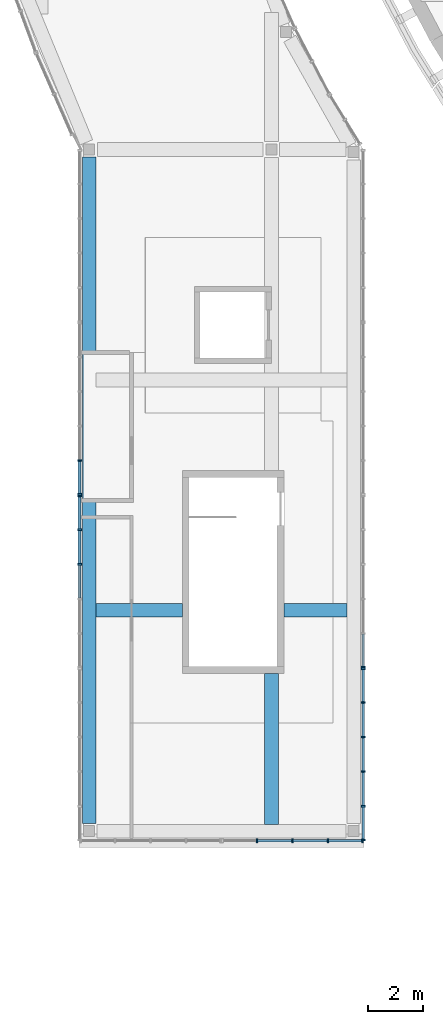
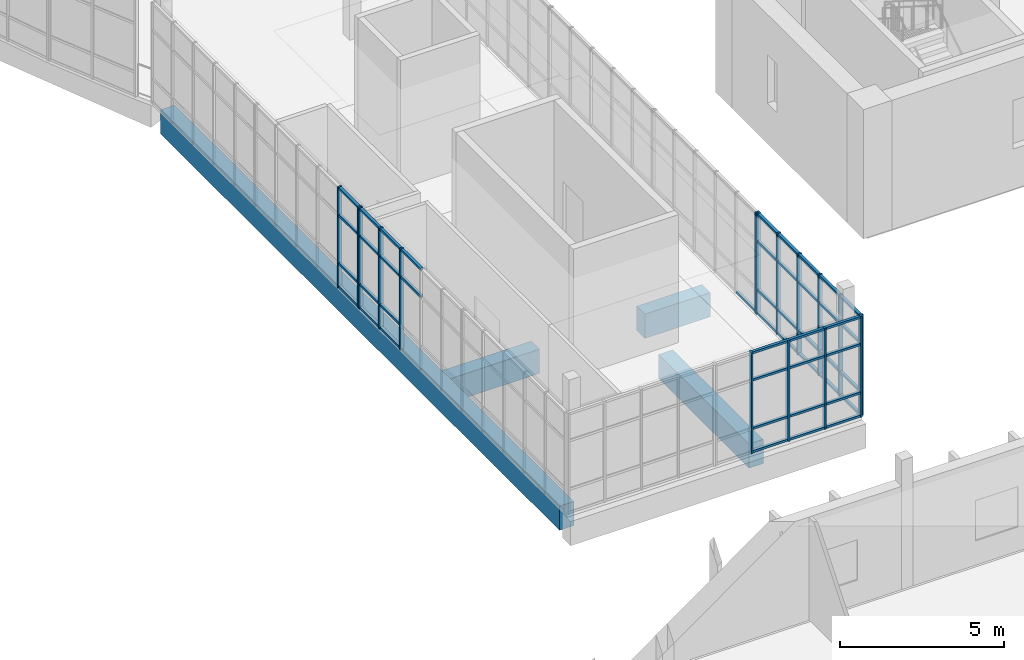
# One storey, part 5 of 103: 63 members, 4 beams, 5 elements without a shape of their own.
"""IFC4 building model written with IfcOpenShell, lengths in metres."""

from ifc_helpers import new_model, si_unit, direction, frame, origin, origin_2d, place, context, subcontext, project, spatial, rectangle, extrude, material, layer, layer_set, material_profile, profile_set, type_object, element, aggregate, save


model = new_model("IFC4")

# Units and contexts
model_context = context("Model", 3, precision=1e-05, world=origin(), true_north=direction((0.0, 1.0)))
body_context = subcontext(model_context, "Body", "Model", "MODEL_VIEW")
ifc_project = project(units=[si_unit("LENGTHUNIT", "METRE"), si_unit("AREAUNIT", "SQUARE_METRE"), si_unit("VOLUMEUNIT", "CUBIC_METRE"), si_unit("PLANEANGLEUNIT", "RADIAN"), si_unit("MASSUNIT", "GRAM", prefix="KILO")], contexts=[model_context])

# Site, building, storey
site_placement = place(None, origin())
site = spatial("IfcSite", under=ifc_project, at=site_placement, CompositionType="ELEMENT")
building_placement = place(site_placement, origin())
building = spatial("IfcBuilding", under=site, at=building_placement, Name="Larchfold Concert Hall", CompositionType="ELEMENT")
storey_placement = place(building_placement, frame((0.0, 0.0, 9.60009765625)))
storey = spatial("IfcBuildingStorey", under=building, at=storey_placement, Name="L02", CompositionType="ELEMENT", Elevation=9.60009765625)

# Curtain wall, members
ifc_material_1 = material(Name="Anodised graphite aluminium curtain wall", Category="aluminium")
ifc_layer = layer(ifc_material_1, 0.14990234375)
ifc_layer_set = layer_set([ifc_layer], Name="Anodised graphite aluminium curtain wall")
curtain_wall_type = type_object("IfcCurtainWallType", Name="Curtain wall WG", PredefinedType="NOTDEFINED", material=ifc_layer_set)
curtain_wall_1_placement = place(storey_placement, origin())
curtain_wall_1 = element("IfcCurtainWall", 1, at=curtain_wall_1_placement, inside=storey, type_object=curtain_wall_type, Name="Curtain wall CW0283", PredefinedType="NOTDEFINED")
ifc_material_2 = material(Name="Anodised graphite aluminium mullion", Category="aluminium")
ifc_material_profile_1 = material_profile(ifc_material_2, rectangle(XDim=0.14990234375, YDim=0.06005859375, at=origin_2d()))
ifc_profile_set_1 = profile_set([ifc_material_profile_1], Name="Anodised graphite aluminium mullion")
member_type_1 = type_object("IfcMemberType", Name="Aluminium mullion 60x150", PredefinedType="MULLION", material=ifc_profile_set_1)
member_1_placement = place(storey_placement, frame((10.408447265625, 48.059814453125, 0.0), z_axis=(0.0, 0.0, 1.0), x_axis=(1.0, 0.0, 0.0)))
member_1 = element("IfcMember", 2, at=member_1_placement, type_object=member_type_1, Name="CW0283 mullion 5", PredefinedType="MULLION", context=body_context, shape_type="SweptSolid", body=[
    extrude(rectangle(XDim=0.14990234375, YDim=0.06005859375, at=origin_2d()), origin(), (0.0, 0.0, 1.0), 3.75),
])
member_2_placement = place(storey_placement, frame((10.408447265625, 46.829833984375, 0.0), z_axis=(0.0, 0.0, 1.0), x_axis=(1.0, 0.0, 0.0)))
member_2 = element("IfcMember", 3, at=member_2_placement, type_object=member_type_1, Name="CW0283 mullion 6", PredefinedType="MULLION", context=body_context, shape_type="SweptSolid", body=[
    extrude(rectangle(XDim=0.14990234375, YDim=0.06005859375, at=origin_2d()), origin(), (0.0, 0.0, 1.0), 3.75),
])

curtain_wall_2_placement = place(storey_placement, origin())
curtain_wall_2 = element("IfcCurtainWall", 4, at=curtain_wall_2_placement, inside=storey, type_object=curtain_wall_type, Name="Curtain wall CW0284", PredefinedType="NOTDEFINED")
member_3_placement = place(storey_placement, frame((10.408447265625, 46.769775390625, 0.0), z_axis=(0.0, 0.0, 1.0), x_axis=(1.0, 0.0, 0.0)))
member_3 = element("IfcMember", 5, at=member_3_placement, type_object=member_type_1, Name="CW0284 mullion 1", PredefinedType="MULLION", context=body_context, shape_type="SweptSolid", body=[
    extrude(rectangle(XDim=0.14990234375, YDim=0.06005859375, at=origin_2d()), origin(), (0.0, 0.0, 1.0), 3.75),
])
member_4_placement = place(storey_placement, frame((10.408447265625, 45.539794921875, 0.0), z_axis=(0.0, 0.0, 1.0), x_axis=(1.0, 0.0, 0.0)))
member_4 = element("IfcMember", 6, at=member_4_placement, type_object=member_type_1, Name="CW0284 mullion 2", PredefinedType="MULLION", context=body_context, shape_type="SweptSolid", body=[
    extrude(rectangle(XDim=0.14990234375, YDim=0.06005859375, at=origin_2d()), origin(), (0.0, 0.0, 1.0), 3.75),
])
member_5_placement = place(storey_placement, frame((10.408447265625, 44.27978515625, 0.0), z_axis=(0.0, 0.0, 1.0), x_axis=(1.0, 0.0, 0.0)))
member_5 = element("IfcMember", 7, at=member_5_placement, type_object=member_type_1, Name="CW0284 mullion 3", PredefinedType="MULLION", context=body_context, shape_type="SweptSolid", body=[
    extrude(rectangle(XDim=0.14990234375, YDim=0.06005859375, at=origin_2d()), origin(), (0.0, 0.0, 1.0), 3.75),
])

curtain_wall_3_placement = place(storey_placement, origin())
curtain_wall_3 = element("IfcCurtainWall", 8, at=curtain_wall_3_placement, inside=storey, type_object=curtain_wall_type, Name="Curtain wall CW0287", PredefinedType="NOTDEFINED")
member_6_placement = place(storey_placement, frame((16.87109375, 34.199951171875, 0.0), z_axis=(0.0, 0.0, 1.0), x_axis=(0.0, 1.0, 0.0)))
member_6 = element("IfcMember", 9, at=member_6_placement, type_object=member_type_1, Name="CW0287 mullion 2", PredefinedType="MULLION", context=body_context, shape_type="SweptSolid", body=[
    extrude(rectangle(XDim=0.14990234375, YDim=0.06005859375, at=origin_2d()), origin(), (0.0, 0.0, 1.0), 3.75),
])
member_7_placement = place(storey_placement, frame((18.16357421875, 34.199951171875, 0.0), z_axis=(0.0, 0.0, 1.0), x_axis=(0.0, 1.0, 0.0)))
member_7 = element("IfcMember", 10, at=member_7_placement, type_object=member_type_1, Name="CW0287 mullion 3", PredefinedType="MULLION", context=body_context, shape_type="SweptSolid", body=[
    extrude(rectangle(XDim=0.14990234375, YDim=0.06005859375, at=origin_2d()), origin(), (0.0, 0.0, 1.0), 3.75),
])
member_8_placement = place(storey_placement, frame((19.456298828125, 34.199951171875, 0.0), z_axis=(0.0, 0.0, 1.0), x_axis=(0.0, 1.0, 0.0)))
member_8 = element("IfcMember", 11, at=member_8_placement, type_object=member_type_1, Name="CW0287 mullion 4", PredefinedType="MULLION", context=body_context, shape_type="SweptSolid", body=[
    extrude(rectangle(XDim=0.14990234375, YDim=0.06005859375, at=origin_2d()), origin(), (0.0, 0.0, 1.0), 3.75),
])
member_9_placement = place(storey_placement, frame((20.71875, 34.199951171875, 0.0), z_axis=(0.0, 0.0, 1.0), x_axis=(0.0, 1.0, 0.0)))
member_9 = element("IfcMember", 12, at=member_9_placement, type_object=member_type_1, Name="CW0287 mullion 5", PredefinedType="MULLION", context=body_context, shape_type="SweptSolid", body=[
    extrude(rectangle(XDim=0.14990234375, YDim=0.06005859375, at=origin_2d()), origin(), (0.0, 0.0, 1.0), 3.75),
])

curtain_wall_4_placement = place(storey_placement, origin())
curtain_wall_4 = element("IfcCurtainWall", 13, at=curtain_wall_4_placement, inside=storey, type_object=curtain_wall_type, Name="Curtain wall CW0288", PredefinedType="NOTDEFINED")
member_10_placement = place(storey_placement, frame((20.748779296875, 34.22998046875, 0.0), z_axis=(0.0, 0.0, 1.0), x_axis=(-1.0, 0.0, 0.0)))
member_10 = element("IfcMember", 14, at=member_10_placement, type_object=member_type_1, Name="CW0288 mullion 1", PredefinedType="MULLION", context=body_context, shape_type="SweptSolid", body=[
    extrude(rectangle(XDim=0.14990234375, YDim=0.06005859375, at=origin_2d()), origin(), (0.0, 0.0, 1.0), 3.75),
])
member_11_placement = place(storey_placement, frame((20.748779296875, 35.4599609375, 0.0), z_axis=(0.0, 0.0, 1.0), x_axis=(-1.0, 0.0, 0.0)))
member_11 = element("IfcMember", 15, at=member_11_placement, type_object=member_type_1, Name="CW0288 mullion 2", PredefinedType="MULLION", context=body_context, shape_type="SweptSolid", body=[
    extrude(rectangle(XDim=0.14990234375, YDim=0.06005859375, at=origin_2d()), origin(), (0.0, 0.0, 1.0), 3.75),
])
member_12_placement = place(storey_placement, frame((20.748779296875, 36.719970703125, 0.0), z_axis=(0.0, 0.0, 1.0), x_axis=(-1.0, 0.0, 0.0)))
member_12 = element("IfcMember", 16, at=member_12_placement, type_object=member_type_1, Name="CW0288 mullion 3", PredefinedType="MULLION", context=body_context, shape_type="SweptSolid", body=[
    extrude(rectangle(XDim=0.14990234375, YDim=0.06005859375, at=origin_2d()), origin(), (0.0, 0.0, 1.0), 3.75),
])
member_13_placement = place(storey_placement, frame((20.748779296875, 37.97998046875, 0.0), z_axis=(0.0, 0.0, 1.0), x_axis=(-1.0, 0.0, 0.0)))
member_13 = element("IfcMember", 17, at=member_13_placement, type_object=member_type_1, Name="CW0288 mullion 4", PredefinedType="MULLION", context=body_context, shape_type="SweptSolid", body=[
    extrude(rectangle(XDim=0.14990234375, YDim=0.06005859375, at=origin_2d()), origin(), (0.0, 0.0, 1.0), 3.75),
])
member_14_placement = place(storey_placement, frame((20.748779296875, 39.239990234375, 0.0), z_axis=(0.0, 0.0, 1.0), x_axis=(-1.0, 0.0, 0.0)))
member_14 = element("IfcMember", 18, at=member_14_placement, type_object=member_type_1, Name="CW0288 mullion 5", PredefinedType="MULLION", context=body_context, shape_type="SweptSolid", body=[
    extrude(rectangle(XDim=0.14990234375, YDim=0.06005859375, at=origin_2d()), origin(), (0.0, 0.0, 1.0), 3.75),
])
member_15_placement = place(storey_placement, frame((20.748779296875, 40.469970703125, 0.0), z_axis=(0.0, 0.0, 1.0), x_axis=(-1.0, 0.0, 0.0)))
member_15 = element("IfcMember", 19, at=member_15_placement, type_object=member_type_1, Name="CW0288 mullion 6", PredefinedType="MULLION", context=body_context, shape_type="SweptSolid", body=[
    extrude(rectangle(XDim=0.14990234375, YDim=0.06005859375, at=origin_2d()), origin(), (0.0, 0.0, 1.0), 3.75),
])

# Curtain wall, member
curtain_wall_5_placement = place(storey_placement, origin())
curtain_wall_5 = element("IfcCurtainWall", 20, at=curtain_wall_5_placement, inside=storey, type_object=curtain_wall_type, Name="Curtain wall CW0289", PredefinedType="NOTDEFINED")
member_16_placement = place(storey_placement, frame((20.748779296875, 40.530029296875, 0.0), z_axis=(0.0, 0.0, 1.0), x_axis=(-1.0, 0.0, 0.0)))
member_16 = element("IfcMember", 21, at=member_16_placement, type_object=member_type_1, Name="CW0289 mullion 1", PredefinedType="MULLION", context=body_context, shape_type="SweptSolid", body=[
    extrude(rectangle(XDim=0.14990234375, YDim=0.06005859375, at=origin_2d()), origin(), (0.0, 0.0, 1.0), 3.75),
])

# Member
ifc_material_3 = material(Name="Anodised graphite aluminium transom", Category="aluminium")
ifc_material_profile_2 = material_profile(ifc_material_3, rectangle(XDim=0.10009765625, YDim=0.080078125, at=origin_2d()))
ifc_profile_set_2 = profile_set([ifc_material_profile_2], Name="Anodised graphite aluminium transom")
member_type_2 = type_object("IfcMemberType", Name="Aluminium transom 80x100", PredefinedType="USERDEFINED", material=ifc_profile_set_2)
member_17_placement = place(storey_placement, frame((10.408447265625, 48.02978515625, 0.0400390625), z_axis=(0.0, -1.0, 0.0), x_axis=(1.0, 0.0, 0.0)))
member_17 = element("IfcMember", 22, at=member_17_placement, type_object=member_type_2, Name="CW0283 transom 5.1", ObjectType="TRANSOM", PredefinedType="USERDEFINED", context=body_context, shape_type="SweptSolid", body=[
    extrude(rectangle(XDim=0.10009765625, YDim=0.080078125, at=origin_2d()), origin(), (0.0, 0.0, 1.0), 1.169921875),
])

member_18_placement = place(storey_placement, frame((10.408447265625, 48.02978515625, 0.89990234375), z_axis=(0.0, -1.0, 0.0), x_axis=(1.0, 0.0, 0.0)))
member_18 = element("IfcMember", 23, at=member_18_placement, type_object=member_type_2, Name="CW0283 transom 5.2", ObjectType="TRANSOM", PredefinedType="USERDEFINED", context=body_context, shape_type="SweptSolid", body=[
    extrude(rectangle(XDim=0.10009765625, YDim=0.080078125, at=origin_2d()), origin(), (0.0, 0.0, 1.0), 1.169921875),
])

member_19_placement = place(storey_placement, frame((10.408447265625, 48.02978515625, 2.699951171875), z_axis=(0.0, -1.0, 0.0), x_axis=(1.0, 0.0, 0.0)))
member_19 = element("IfcMember", 24, at=member_19_placement, type_object=member_type_2, Name="CW0283 transom 5.3", ObjectType="TRANSOM", PredefinedType="USERDEFINED", context=body_context, shape_type="SweptSolid", body=[
    extrude(rectangle(XDim=0.10009765625, YDim=0.080078125, at=origin_2d()), origin(), (0.0, 0.0, 1.0), 1.169921875),
])

member_20_placement = place(storey_placement, frame((10.408447265625, 48.02978515625, 3.7099609375), z_axis=(0.0, -1.0, 0.0), x_axis=(1.0, 0.0, 0.0)))
member_20 = element("IfcMember", 25, at=member_20_placement, type_object=member_type_2, Name="CW0283 transom 5.4", ObjectType="TRANSOM", PredefinedType="USERDEFINED", context=body_context, shape_type="SweptSolid", body=[
    extrude(rectangle(XDim=0.10009765625, YDim=0.080078125, at=origin_2d()), origin(), (0.0, 0.0, 1.0), 1.169921875),
])

aggregate(curtain_wall_1, [member_1, member_2, member_17, member_18, member_19, member_20])

member_21_placement = place(storey_placement, frame((10.408447265625, 46.73974609375, 0.0400390625), z_axis=(0.0, -1.0, 0.0), x_axis=(1.0, 0.0, 0.0)))
member_21 = element("IfcMember", 26, at=member_21_placement, type_object=member_type_2, Name="CW0284 transom 1.1", ObjectType="TRANSOM", PredefinedType="USERDEFINED", context=body_context, shape_type="SweptSolid", body=[
    extrude(rectangle(XDim=0.10009765625, YDim=0.080078125, at=origin_2d()), origin(), (0.0, 0.0, 1.0), 1.169921875),
])

member_22_placement = place(storey_placement, frame((10.408447265625, 46.73974609375, 0.89990234375), z_axis=(0.0, -1.0, 0.0), x_axis=(1.0, 0.0, 0.0)))
member_22 = element("IfcMember", 27, at=member_22_placement, type_object=member_type_2, Name="CW0284 transom 1.2", ObjectType="TRANSOM", PredefinedType="USERDEFINED", context=body_context, shape_type="SweptSolid", body=[
    extrude(rectangle(XDim=0.10009765625, YDim=0.080078125, at=origin_2d()), origin(), (0.0, 0.0, 1.0), 1.169921875),
])

member_23_placement = place(storey_placement, frame((10.408447265625, 46.73974609375, 2.699951171875), z_axis=(0.0, -1.0, 0.0), x_axis=(1.0, 0.0, 0.0)))
member_23 = element("IfcMember", 28, at=member_23_placement, type_object=member_type_2, Name="CW0284 transom 1.3", ObjectType="TRANSOM", PredefinedType="USERDEFINED", context=body_context, shape_type="SweptSolid", body=[
    extrude(rectangle(XDim=0.10009765625, YDim=0.080078125, at=origin_2d()), origin(), (0.0, 0.0, 1.0), 1.169921875),
])

member_24_placement = place(storey_placement, frame((10.408447265625, 46.73974609375, 3.7099609375), z_axis=(0.0, -1.0, 0.0), x_axis=(1.0, 0.0, 0.0)))
member_24 = element("IfcMember", 29, at=member_24_placement, type_object=member_type_2, Name="CW0284 transom 1.4", ObjectType="TRANSOM", PredefinedType="USERDEFINED", context=body_context, shape_type="SweptSolid", body=[
    extrude(rectangle(XDim=0.10009765625, YDim=0.080078125, at=origin_2d()), origin(), (0.0, 0.0, 1.0), 1.169921875),
])

member_25_placement = place(storey_placement, frame((10.408447265625, 45.509765625, 0.0400390625), z_axis=(0.0, -1.0, 0.0), x_axis=(1.0, 0.0, 0.0)))
member_25 = element("IfcMember", 30, at=member_25_placement, type_object=member_type_2, Name="CW0284 transom 2.1", ObjectType="TRANSOM", PredefinedType="USERDEFINED", context=body_context, shape_type="SweptSolid", body=[
    extrude(rectangle(XDim=0.10009765625, YDim=0.080078125, at=origin_2d()), origin(), (0.0, 0.0, 1.0), 1.199951171875),
])

member_26_placement = place(storey_placement, frame((10.408447265625, 45.509765625, 0.89990234375), z_axis=(0.0, -1.0, 0.0), x_axis=(1.0, 0.0, 0.0)))
member_26 = element("IfcMember", 31, at=member_26_placement, type_object=member_type_2, Name="CW0284 transom 2.2", ObjectType="TRANSOM", PredefinedType="USERDEFINED", context=body_context, shape_type="SweptSolid", body=[
    extrude(rectangle(XDim=0.10009765625, YDim=0.080078125, at=origin_2d()), origin(), (0.0, 0.0, 1.0), 1.199951171875),
])

member_27_placement = place(storey_placement, frame((10.408447265625, 45.509765625, 2.699951171875), z_axis=(0.0, -1.0, 0.0), x_axis=(1.0, 0.0, 0.0)))
member_27 = element("IfcMember", 32, at=member_27_placement, type_object=member_type_2, Name="CW0284 transom 2.3", ObjectType="TRANSOM", PredefinedType="USERDEFINED", context=body_context, shape_type="SweptSolid", body=[
    extrude(rectangle(XDim=0.10009765625, YDim=0.080078125, at=origin_2d()), origin(), (0.0, 0.0, 1.0), 1.199951171875),
])

member_28_placement = place(storey_placement, frame((10.408447265625, 45.509765625, 3.7099609375), z_axis=(0.0, -1.0, 0.0), x_axis=(1.0, 0.0, 0.0)))
member_28 = element("IfcMember", 33, at=member_28_placement, type_object=member_type_2, Name="CW0284 transom 2.4", ObjectType="TRANSOM", PredefinedType="USERDEFINED", context=body_context, shape_type="SweptSolid", body=[
    extrude(rectangle(XDim=0.10009765625, YDim=0.080078125, at=origin_2d()), origin(), (0.0, 0.0, 1.0), 1.199951171875),
])

member_29_placement = place(storey_placement, frame((10.408447265625, 44.25, 2.699951171875), z_axis=(0.0, -1.0, 0.0), x_axis=(1.0, 0.0, 0.0)))
member_29 = element("IfcMember", 34, at=member_29_placement, type_object=member_type_2, Name="CW0284 transom 3.3", ObjectType="TRANSOM", PredefinedType="USERDEFINED", context=body_context, shape_type="SweptSolid", body=[
    extrude(rectangle(XDim=0.10009765625, YDim=0.080078125, at=origin_2d()), origin(), (0.0, 0.0, 1.0), 1.2001953125),
])

member_30_placement = place(storey_placement, frame((10.408447265625, 44.25, 3.7099609375), z_axis=(0.0, -1.0, 0.0), x_axis=(1.0, 0.0, 0.0)))
member_30 = element("IfcMember", 35, at=member_30_placement, type_object=member_type_2, Name="CW0284 transom 3.4", ObjectType="TRANSOM", PredefinedType="USERDEFINED", context=body_context, shape_type="SweptSolid", body=[
    extrude(rectangle(XDim=0.10009765625, YDim=0.080078125, at=origin_2d()), origin(), (0.0, 0.0, 1.0), 1.2001953125),
])

aggregate(curtain_wall_2, [member_3, member_4, member_5, member_21, member_22, member_23, member_24, member_25, member_26, member_27, member_28, member_29, member_30])

member_31_placement = place(storey_placement, frame((16.901123046875, 34.199951171875, 0.0400390625), z_axis=(1.0, 0.0, 0.0), x_axis=(0.0, 1.0, 0.0)))
member_31 = element("IfcMember", 36, at=member_31_placement, type_object=member_type_2, Name="CW0287 transom 2.1", ObjectType="TRANSOM", PredefinedType="USERDEFINED", context=body_context, shape_type="SweptSolid", body=[
    extrude(rectangle(XDim=0.10009765625, YDim=0.080078125, at=origin_2d()), origin(), (0.0, 0.0, 1.0), 1.232666015625),
])

member_32_placement = place(storey_placement, frame((16.901123046875, 34.199951171875, 0.89990234375), z_axis=(1.0, 0.0, 0.0), x_axis=(0.0, 1.0, 0.0)))
member_32 = element("IfcMember", 37, at=member_32_placement, type_object=member_type_2, Name="CW0287 transom 2.2", ObjectType="TRANSOM", PredefinedType="USERDEFINED", context=body_context, shape_type="SweptSolid", body=[
    extrude(rectangle(XDim=0.10009765625, YDim=0.080078125, at=origin_2d()), origin(), (0.0, 0.0, 1.0), 1.232666015625),
])

member_33_placement = place(storey_placement, frame((16.901123046875, 34.199951171875, 2.699951171875), z_axis=(1.0, 0.0, 0.0), x_axis=(0.0, 1.0, 0.0)))
member_33 = element("IfcMember", 38, at=member_33_placement, type_object=member_type_2, Name="CW0287 transom 2.3", ObjectType="TRANSOM", PredefinedType="USERDEFINED", context=body_context, shape_type="SweptSolid", body=[
    extrude(rectangle(XDim=0.10009765625, YDim=0.080078125, at=origin_2d()), origin(), (0.0, 0.0, 1.0), 1.232666015625),
])

member_34_placement = place(storey_placement, frame((16.901123046875, 34.199951171875, 3.7099609375), z_axis=(1.0, 0.0, 0.0), x_axis=(0.0, 1.0, 0.0)))
member_34 = element("IfcMember", 39, at=member_34_placement, type_object=member_type_2, Name="CW0287 transom 2.4", ObjectType="TRANSOM", PredefinedType="USERDEFINED", context=body_context, shape_type="SweptSolid", body=[
    extrude(rectangle(XDim=0.10009765625, YDim=0.080078125, at=origin_2d()), origin(), (0.0, 0.0, 1.0), 1.232666015625),
])

member_35_placement = place(storey_placement, frame((18.193603515625, 34.199951171875, 0.0400390625), z_axis=(1.0, 0.0, 0.0), x_axis=(0.0, 1.0, 0.0)))
member_35 = element("IfcMember", 40, at=member_35_placement, type_object=member_type_2, Name="CW0287 transom 3.1", ObjectType="TRANSOM", PredefinedType="USERDEFINED", context=body_context, shape_type="SweptSolid", body=[
    extrude(rectangle(XDim=0.10009765625, YDim=0.080078125, at=origin_2d()), origin(), (0.0, 0.0, 1.0), 1.232666015625),
])

member_36_placement = place(storey_placement, frame((18.193603515625, 34.199951171875, 0.89990234375), z_axis=(1.0, 0.0, 0.0), x_axis=(0.0, 1.0, 0.0)))
member_36 = element("IfcMember", 41, at=member_36_placement, type_object=member_type_2, Name="CW0287 transom 3.2", ObjectType="TRANSOM", PredefinedType="USERDEFINED", context=body_context, shape_type="SweptSolid", body=[
    extrude(rectangle(XDim=0.10009765625, YDim=0.080078125, at=origin_2d()), origin(), (0.0, 0.0, 1.0), 1.232666015625),
])

member_37_placement = place(storey_placement, frame((18.193603515625, 34.199951171875, 2.699951171875), z_axis=(1.0, 0.0, 0.0), x_axis=(0.0, 1.0, 0.0)))
member_37 = element("IfcMember", 42, at=member_37_placement, type_object=member_type_2, Name="CW0287 transom 3.3", ObjectType="TRANSOM", PredefinedType="USERDEFINED", context=body_context, shape_type="SweptSolid", body=[
    extrude(rectangle(XDim=0.10009765625, YDim=0.080078125, at=origin_2d()), origin(), (0.0, 0.0, 1.0), 1.232666015625),
])

member_38_placement = place(storey_placement, frame((18.193603515625, 34.199951171875, 3.7099609375), z_axis=(1.0, 0.0, 0.0), x_axis=(0.0, 1.0, 0.0)))
member_38 = element("IfcMember", 43, at=member_38_placement, type_object=member_type_2, Name="CW0287 transom 3.4", ObjectType="TRANSOM", PredefinedType="USERDEFINED", context=body_context, shape_type="SweptSolid", body=[
    extrude(rectangle(XDim=0.10009765625, YDim=0.080078125, at=origin_2d()), origin(), (0.0, 0.0, 1.0), 1.232666015625),
])

member_39_placement = place(storey_placement, frame((19.486328125, 34.199951171875, 0.0400390625), z_axis=(1.0, 0.0, 0.0), x_axis=(0.0, 1.0, 0.0)))
member_39 = element("IfcMember", 44, at=member_39_placement, type_object=member_type_2, Name="CW0287 transom 4.1", ObjectType="TRANSOM", PredefinedType="USERDEFINED", context=body_context, shape_type="SweptSolid", body=[
    extrude(rectangle(XDim=0.10009765625, YDim=0.080078125, at=origin_2d()), origin(), (0.0, 0.0, 1.0), 1.202392578125),
])

member_40_placement = place(storey_placement, frame((19.486328125, 34.199951171875, 0.89990234375), z_axis=(1.0, 0.0, 0.0), x_axis=(0.0, 1.0, 0.0)))
member_40 = element("IfcMember", 45, at=member_40_placement, type_object=member_type_2, Name="CW0287 transom 4.2", ObjectType="TRANSOM", PredefinedType="USERDEFINED", context=body_context, shape_type="SweptSolid", body=[
    extrude(rectangle(XDim=0.10009765625, YDim=0.080078125, at=origin_2d()), origin(), (0.0, 0.0, 1.0), 1.202392578125),
])

member_41_placement = place(storey_placement, frame((19.486328125, 34.199951171875, 2.699951171875), z_axis=(1.0, 0.0, 0.0), x_axis=(0.0, 1.0, 0.0)))
member_41 = element("IfcMember", 46, at=member_41_placement, type_object=member_type_2, Name="CW0287 transom 4.3", ObjectType="TRANSOM", PredefinedType="USERDEFINED", context=body_context, shape_type="SweptSolid", body=[
    extrude(rectangle(XDim=0.10009765625, YDim=0.080078125, at=origin_2d()), origin(), (0.0, 0.0, 1.0), 1.202392578125),
])

member_42_placement = place(storey_placement, frame((19.486328125, 34.199951171875, 3.7099609375), z_axis=(1.0, 0.0, 0.0), x_axis=(0.0, 1.0, 0.0)))
member_42 = element("IfcMember", 47, at=member_42_placement, type_object=member_type_2, Name="CW0287 transom 4.4", ObjectType="TRANSOM", PredefinedType="USERDEFINED", context=body_context, shape_type="SweptSolid", body=[
    extrude(rectangle(XDim=0.10009765625, YDim=0.080078125, at=origin_2d()), origin(), (0.0, 0.0, 1.0), 1.202392578125),
])

aggregate(curtain_wall_3, [member_6, member_7, member_8, member_9, member_31, member_32, member_33, member_34, member_35, member_36, member_37, member_38, member_39, member_40, member_41, member_42])

member_43_placement = place(storey_placement, frame((20.748779296875, 34.260009765625, 0.0400390625), z_axis=(0.0, 1.0, 0.0), x_axis=(-1.0, 0.0, 0.0)))
member_43 = element("IfcMember", 48, at=member_43_placement, type_object=member_type_2, Name="CW0288 transom 1.1", ObjectType="TRANSOM", PredefinedType="USERDEFINED", context=body_context, shape_type="SweptSolid", body=[
    extrude(rectangle(XDim=0.10009765625, YDim=0.080078125, at=origin_2d()), origin(), (0.0, 0.0, 1.0), 1.169921875),
])

member_44_placement = place(storey_placement, frame((20.748779296875, 34.260009765625, 0.89990234375), z_axis=(0.0, 1.0, 0.0), x_axis=(-1.0, 0.0, 0.0)))
member_44 = element("IfcMember", 49, at=member_44_placement, type_object=member_type_2, Name="CW0288 transom 1.2", ObjectType="TRANSOM", PredefinedType="USERDEFINED", context=body_context, shape_type="SweptSolid", body=[
    extrude(rectangle(XDim=0.10009765625, YDim=0.080078125, at=origin_2d()), origin(), (0.0, 0.0, 1.0), 1.169921875),
])

member_45_placement = place(storey_placement, frame((20.748779296875, 34.260009765625, 2.699951171875), z_axis=(0.0, 1.0, 0.0), x_axis=(-1.0, 0.0, 0.0)))
member_45 = element("IfcMember", 50, at=member_45_placement, type_object=member_type_2, Name="CW0288 transom 1.3", ObjectType="TRANSOM", PredefinedType="USERDEFINED", context=body_context, shape_type="SweptSolid", body=[
    extrude(rectangle(XDim=0.10009765625, YDim=0.080078125, at=origin_2d()), origin(), (0.0, 0.0, 1.0), 1.169921875),
])

member_46_placement = place(storey_placement, frame((20.748779296875, 34.260009765625, 3.7099609375), z_axis=(0.0, 1.0, 0.0), x_axis=(-1.0, 0.0, 0.0)))
member_46 = element("IfcMember", 51, at=member_46_placement, type_object=member_type_2, Name="CW0288 transom 1.4", ObjectType="TRANSOM", PredefinedType="USERDEFINED", context=body_context, shape_type="SweptSolid", body=[
    extrude(rectangle(XDim=0.10009765625, YDim=0.080078125, at=origin_2d()), origin(), (0.0, 0.0, 1.0), 1.169921875),
])

member_47_placement = place(storey_placement, frame((20.748779296875, 35.489990234375, 0.0400390625), z_axis=(0.0, 1.0, 0.0), x_axis=(-1.0, 0.0, 0.0)))
member_47 = element("IfcMember", 52, at=member_47_placement, type_object=member_type_2, Name="CW0288 transom 2.1", ObjectType="TRANSOM", PredefinedType="USERDEFINED", context=body_context, shape_type="SweptSolid", body=[
    extrude(rectangle(XDim=0.10009765625, YDim=0.080078125, at=origin_2d()), origin(), (0.0, 0.0, 1.0), 1.199951171875),
])

member_48_placement = place(storey_placement, frame((20.748779296875, 35.489990234375, 0.89990234375), z_axis=(0.0, 1.0, 0.0), x_axis=(-1.0, 0.0, 0.0)))
member_48 = element("IfcMember", 53, at=member_48_placement, type_object=member_type_2, Name="CW0288 transom 2.2", ObjectType="TRANSOM", PredefinedType="USERDEFINED", context=body_context, shape_type="SweptSolid", body=[
    extrude(rectangle(XDim=0.10009765625, YDim=0.080078125, at=origin_2d()), origin(), (0.0, 0.0, 1.0), 1.199951171875),
])

member_49_placement = place(storey_placement, frame((20.748779296875, 35.489990234375, 2.699951171875), z_axis=(0.0, 1.0, 0.0), x_axis=(-1.0, 0.0, 0.0)))
member_49 = element("IfcMember", 54, at=member_49_placement, type_object=member_type_2, Name="CW0288 transom 2.3", ObjectType="TRANSOM", PredefinedType="USERDEFINED", context=body_context, shape_type="SweptSolid", body=[
    extrude(rectangle(XDim=0.10009765625, YDim=0.080078125, at=origin_2d()), origin(), (0.0, 0.0, 1.0), 1.199951171875),
])

member_50_placement = place(storey_placement, frame((20.748779296875, 35.489990234375, 3.7099609375), z_axis=(0.0, 1.0, 0.0), x_axis=(-1.0, 0.0, 0.0)))
member_50 = element("IfcMember", 55, at=member_50_placement, type_object=member_type_2, Name="CW0288 transom 2.4", ObjectType="TRANSOM", PredefinedType="USERDEFINED", context=body_context, shape_type="SweptSolid", body=[
    extrude(rectangle(XDim=0.10009765625, YDim=0.080078125, at=origin_2d()), origin(), (0.0, 0.0, 1.0), 1.199951171875),
])

member_51_placement = place(storey_placement, frame((20.748779296875, 36.75, 0.0400390625), z_axis=(0.0, 1.0, 0.0), x_axis=(-1.0, 0.0, 0.0)))
member_51 = element("IfcMember", 56, at=member_51_placement, type_object=member_type_2, Name="CW0288 transom 3.1", ObjectType="TRANSOM", PredefinedType="USERDEFINED", context=body_context, shape_type="SweptSolid", body=[
    extrude(rectangle(XDim=0.10009765625, YDim=0.080078125, at=origin_2d()), origin(), (0.0, 0.0, 1.0), 1.199951171875),
])

member_52_placement = place(storey_placement, frame((20.748779296875, 36.75, 0.89990234375), z_axis=(0.0, 1.0, 0.0), x_axis=(-1.0, 0.0, 0.0)))
member_52 = element("IfcMember", 57, at=member_52_placement, type_object=member_type_2, Name="CW0288 transom 3.2", ObjectType="TRANSOM", PredefinedType="USERDEFINED", context=body_context, shape_type="SweptSolid", body=[
    extrude(rectangle(XDim=0.10009765625, YDim=0.080078125, at=origin_2d()), origin(), (0.0, 0.0, 1.0), 1.199951171875),
])

member_53_placement = place(storey_placement, frame((20.748779296875, 36.75, 2.699951171875), z_axis=(0.0, 1.0, 0.0), x_axis=(-1.0, 0.0, 0.0)))
member_53 = element("IfcMember", 58, at=member_53_placement, type_object=member_type_2, Name="CW0288 transom 3.3", ObjectType="TRANSOM", PredefinedType="USERDEFINED", context=body_context, shape_type="SweptSolid", body=[
    extrude(rectangle(XDim=0.10009765625, YDim=0.080078125, at=origin_2d()), origin(), (0.0, 0.0, 1.0), 1.199951171875),
])

member_54_placement = place(storey_placement, frame((20.748779296875, 36.75, 3.7099609375), z_axis=(0.0, 1.0, 0.0), x_axis=(-1.0, 0.0, 0.0)))
member_54 = element("IfcMember", 59, at=member_54_placement, type_object=member_type_2, Name="CW0288 transom 3.4", ObjectType="TRANSOM", PredefinedType="USERDEFINED", context=body_context, shape_type="SweptSolid", body=[
    extrude(rectangle(XDim=0.10009765625, YDim=0.080078125, at=origin_2d()), origin(), (0.0, 0.0, 1.0), 1.199951171875),
])

member_55_placement = place(storey_placement, frame((20.748779296875, 38.010009765625, 0.0400390625), z_axis=(0.0, 1.0, 0.0), x_axis=(-1.0, 0.0, 0.0)))
member_55 = element("IfcMember", 60, at=member_55_placement, type_object=member_type_2, Name="CW0288 transom 4.1", ObjectType="TRANSOM", PredefinedType="USERDEFINED", context=body_context, shape_type="SweptSolid", body=[
    extrude(rectangle(XDim=0.10009765625, YDim=0.080078125, at=origin_2d()), origin(), (0.0, 0.0, 1.0), 1.199951171875),
])

member_56_placement = place(storey_placement, frame((20.748779296875, 38.010009765625, 0.89990234375), z_axis=(0.0, 1.0, 0.0), x_axis=(-1.0, 0.0, 0.0)))
member_56 = element("IfcMember", 61, at=member_56_placement, type_object=member_type_2, Name="CW0288 transom 4.2", ObjectType="TRANSOM", PredefinedType="USERDEFINED", context=body_context, shape_type="SweptSolid", body=[
    extrude(rectangle(XDim=0.10009765625, YDim=0.080078125, at=origin_2d()), origin(), (0.0, 0.0, 1.0), 1.199951171875),
])

member_57_placement = place(storey_placement, frame((20.748779296875, 38.010009765625, 2.699951171875), z_axis=(0.0, 1.0, 0.0), x_axis=(-1.0, 0.0, 0.0)))
member_57 = element("IfcMember", 62, at=member_57_placement, type_object=member_type_2, Name="CW0288 transom 4.3", ObjectType="TRANSOM", PredefinedType="USERDEFINED", context=body_context, shape_type="SweptSolid", body=[
    extrude(rectangle(XDim=0.10009765625, YDim=0.080078125, at=origin_2d()), origin(), (0.0, 0.0, 1.0), 1.199951171875),
])

member_58_placement = place(storey_placement, frame((20.748779296875, 38.010009765625, 3.7099609375), z_axis=(0.0, 1.0, 0.0), x_axis=(-1.0, 0.0, 0.0)))
member_58 = element("IfcMember", 63, at=member_58_placement, type_object=member_type_2, Name="CW0288 transom 4.4", ObjectType="TRANSOM", PredefinedType="USERDEFINED", context=body_context, shape_type="SweptSolid", body=[
    extrude(rectangle(XDim=0.10009765625, YDim=0.080078125, at=origin_2d()), origin(), (0.0, 0.0, 1.0), 1.199951171875),
])

member_59_placement = place(storey_placement, frame((20.748779296875, 39.27001953125, 0.0400390625), z_axis=(0.0, 1.0, 0.0), x_axis=(-1.0, 0.0, 0.0)))
member_59 = element("IfcMember", 64, at=member_59_placement, type_object=member_type_2, Name="CW0288 transom 5.1", ObjectType="TRANSOM", PredefinedType="USERDEFINED", context=body_context, shape_type="SweptSolid", body=[
    extrude(rectangle(XDim=0.10009765625, YDim=0.080078125, at=origin_2d()), origin(), (0.0, 0.0, 1.0), 1.169921875),
])

member_60_placement = place(storey_placement, frame((20.748779296875, 39.27001953125, 0.89990234375), z_axis=(0.0, 1.0, 0.0), x_axis=(-1.0, 0.0, 0.0)))
member_60 = element("IfcMember", 65, at=member_60_placement, type_object=member_type_2, Name="CW0288 transom 5.2", ObjectType="TRANSOM", PredefinedType="USERDEFINED", context=body_context, shape_type="SweptSolid", body=[
    extrude(rectangle(XDim=0.10009765625, YDim=0.080078125, at=origin_2d()), origin(), (0.0, 0.0, 1.0), 1.169921875),
])

member_61_placement = place(storey_placement, frame((20.748779296875, 39.27001953125, 2.699951171875), z_axis=(0.0, 1.0, 0.0), x_axis=(-1.0, 0.0, 0.0)))
member_61 = element("IfcMember", 66, at=member_61_placement, type_object=member_type_2, Name="CW0288 transom 5.3", ObjectType="TRANSOM", PredefinedType="USERDEFINED", context=body_context, shape_type="SweptSolid", body=[
    extrude(rectangle(XDim=0.10009765625, YDim=0.080078125, at=origin_2d()), origin(), (0.0, 0.0, 1.0), 1.169921875),
])

member_62_placement = place(storey_placement, frame((20.748779296875, 39.27001953125, 3.7099609375), z_axis=(0.0, 1.0, 0.0), x_axis=(-1.0, 0.0, 0.0)))
member_62 = element("IfcMember", 67, at=member_62_placement, type_object=member_type_2, Name="CW0288 transom 5.4", ObjectType="TRANSOM", PredefinedType="USERDEFINED", context=body_context, shape_type="SweptSolid", body=[
    extrude(rectangle(XDim=0.10009765625, YDim=0.080078125, at=origin_2d()), origin(), (0.0, 0.0, 1.0), 1.169921875),
])

aggregate(curtain_wall_4, [member_10, member_11, member_12, member_13, member_14, member_15, member_43, member_44, member_45, member_46, member_47, member_48, member_49, member_50, member_51, member_52, member_53, member_54, member_55, member_56, member_57, member_58, member_59, member_60, member_61, member_62])

member_63_placement = place(storey_placement, frame((20.748779296875, 40.56005859375, 0.0400390625), z_axis=(0.0, 1.0, 0.0), x_axis=(-1.0, 0.0, 0.0)))
member_63 = element("IfcMember", 68, at=member_63_placement, type_object=member_type_2, Name="CW0289 transom 1.1", ObjectType="TRANSOM", PredefinedType="USERDEFINED", context=body_context, shape_type="SweptSolid", body=[
    extrude(rectangle(XDim=0.10009765625, YDim=0.080078125, at=origin_2d()), origin(), (0.0, 0.0, 1.0), 1.169921875),
])

aggregate(curtain_wall_5, [member_16, member_63])

# Beams
ifc_material_4 = material(Name="Concrete C35/45", Category="concrete")
ifc_material_profile_3 = material_profile(ifc_material_4, rectangle(XDim=0.5, YDim=0.89990234375, at=origin_2d()))
ifc_profile_set_3 = profile_set([ifc_material_profile_3], Name="Concrete C35/45")
beam_type = type_object("IfcBeamType", Name="Beam RC 500x900", PredefinedType="BEAM", material=ifc_profile_set_3)
beam_1_placement = place(storey_placement, frame((10.758056640625, 34.830078125, -0.60009765625), z_axis=(0.0, 1.0, 0.0), x_axis=(-1.0, 0.0, 0.0)))
element("IfcBeam", 69, at=beam_1_placement, inside=storey, type_object=beam_type, Name="Beam B1938", PredefinedType="BEAM", context=body_context, shape_type="SweptSolid", body=[
    extrude(rectangle(XDim=0.5, YDim=0.89990234375, at=origin_2d()), origin(), (0.0, 0.0, 1.0), 24.2900390625),
])
beam_2_placement = place(storey_placement, frame((17.39990234375, 34.800048828125, -0.60009765625), z_axis=(0.0, 1.0, 0.0), x_axis=(-1.0, 0.0, 0.0)))
element("IfcBeam", 70, at=beam_2_placement, inside=storey, type_object=beam_type, Name="Beam B1966", PredefinedType="BEAM", context=body_context, shape_type="SweptSolid", body=[
    extrude(rectangle(XDim=0.5, YDim=0.89990234375, at=origin_2d()), origin(), (0.0, 0.0, 1.0), 5.5),
])
beam_3_placement = place(storey_placement, frame((11.008056640625, 42.60009765625, -0.60009765625), z_axis=(1.0, 0.0, 0.0), x_axis=(0.0, 1.0, 0.0)))
element("IfcBeam", 71, at=beam_3_placement, inside=storey, type_object=beam_type, Name="Beam B1983", PredefinedType="BEAM", context=body_context, shape_type="SweptSolid", body=[
    extrude(rectangle(XDim=0.5, YDim=0.89990234375, at=origin_2d()), origin(), (0.0, 0.0, 1.0), 3.141845703125),
])
beam_4_placement = place(storey_placement, frame((17.85009765625, 42.60009765625, -0.60009765625), z_axis=(1.0, 0.0, 0.0), x_axis=(0.0, 1.0, 0.0)))
element("IfcBeam", 72, at=beam_4_placement, inside=storey, type_object=beam_type, Name="Beam B1984", PredefinedType="BEAM", context=body_context, shape_type="SweptSolid", body=[
    extrude(rectangle(XDim=0.5, YDim=0.89990234375, at=origin_2d()), origin(), (0.0, 0.0, 1.0), 2.298828125),
])

save(model, "model.ifc")
